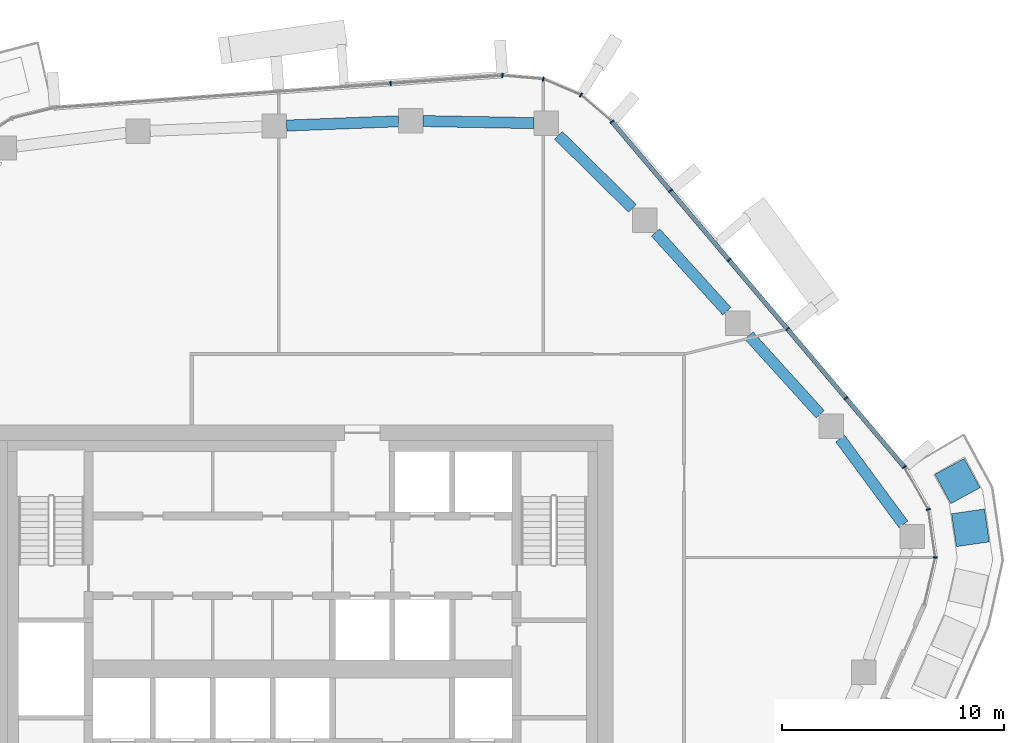
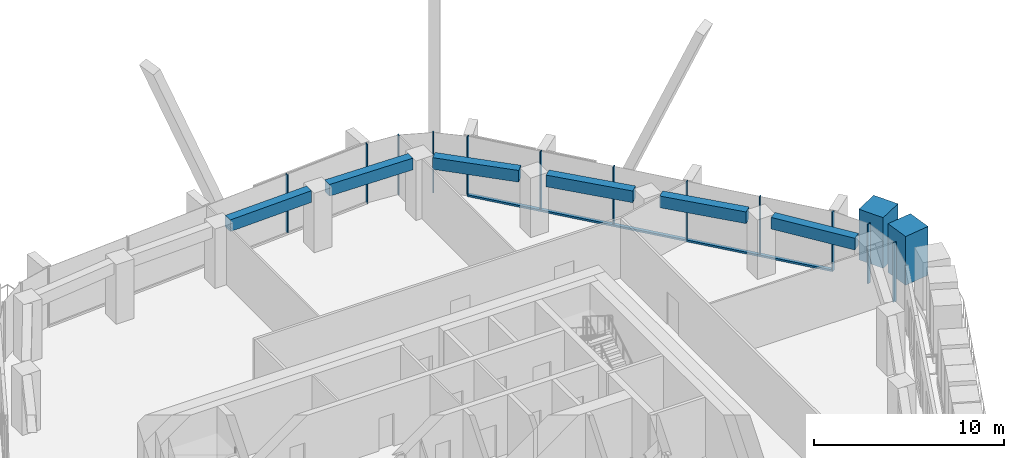
# One storey, part 8 of 20: 15 members, 6 beams, 4 elements without a shape of their own.
"""IFC4 building model written with IfcOpenShell, lengths in metres."""

from ifc_helpers import new_model, si_unit, direction, frame, origin, origin_2d, place, context, subcontext, project, spatial, rectangle, extrude, material, layer, layer_set, material_profile, profile_set, type_object, element, aggregate, save


model = new_model("IFC4")

# Units and contexts
model_context = context("Model", 3, precision=1e-05, world=origin(), true_north=direction((0.0, 1.0)))
body_context = subcontext(model_context, "Body", "Model", "MODEL_VIEW")
ifc_project = project(units=[si_unit("LENGTHUNIT", "METRE"), si_unit("AREAUNIT", "SQUARE_METRE"), si_unit("VOLUMEUNIT", "CUBIC_METRE"), si_unit("PLANEANGLEUNIT", "RADIAN"), si_unit("MASSUNIT", "GRAM", prefix="KILO")], contexts=[model_context])

# Site, building, storey
site_placement = place(None, origin())
site = spatial("IfcSite", under=ifc_project, at=site_placement, CompositionType="ELEMENT")
building_placement = place(site_placement, origin())
building = spatial("IfcBuilding", under=site, at=building_placement, Name="Dongbaek Canopy Tower", CompositionType="ELEMENT")
storey_placement = place(building_placement, frame((0.0, 0.0, 266.39990234375)))
storey = spatial("IfcBuildingStorey", under=building, at=storey_placement, Name="L56", CompositionType="ELEMENT", Elevation=266.39990234375)

# Curtain wall, members
ifc_material_1 = material(Name="Aluminium 6063-T6 pale anodised", Category="aluminium")
ifc_layer = layer(ifc_material_1, 0.199951171875)
ifc_layer_set = layer_set([ifc_layer], Name="CW-1 unitised tower curtain wall")
curtain_wall_type = type_object("IfcCurtainWallType", Name="CW-1 unitised tower curtain wall", PredefinedType="NOTDEFINED", material=ifc_layer_set)
curtain_wall_1_placement = place(storey_placement, origin())
curtain_wall_1 = element("IfcCurtainWall", 1, at=curtain_wall_1_placement, inside=storey, type_object=curtain_wall_type, Name="CW-1 curtain wall K0.1", PredefinedType="NOTDEFINED")
ifc_material_2 = material(Name="Aluminium 6063-T6 pale anodised", Category="aluminium")
ifc_material_profile_1 = material_profile(ifc_material_2, rectangle(XDim=0.199951171875, YDim=0.06005859375, at=origin_2d()), Name="CW-1 mullion 60 x 200")
ifc_profile_set_1 = profile_set([ifc_material_profile_1], Name="Aluminium 6063-T6 pale anodised")
member_type_1 = type_object("IfcMemberType", Name="CW-1 mullion 60 x 200", PredefinedType="MULLION", material=ifc_profile_set_1)
member_1_placement = place(storey_placement, frame((28.5224609375, 5.034423828125, 0.0), z_axis=(0.0, 0.0, 1.0), x_axis=(0.999092622881, -0.042590267718, 0.0)))
member_1 = element("IfcMember", 2, at=member_1_placement, type_object=member_type_1, Name="CW-1 mullion K0.1.2", PredefinedType="MULLION", context=body_context, shape_type="SweptSolid", body=[
    extrude(rectangle(XDim=0.199951171875, YDim=0.06005859375, at=origin_2d()), origin(), (0.0, 0.0, 1.0), 3.820068359375),
])
member_2_placement = place(storey_placement, frame((28.2099609375, 7.196533203125, 0.0), z_axis=(0.0, 0.0, 1.0), x_axis=(0.94607447502, 0.323949205456, 0.0)))
member_2 = element("IfcMember", 3, at=member_2_placement, type_object=member_type_1, Name="CW-1 mullion K0.1.3", PredefinedType="MULLION", context=body_context, shape_type="SweptSolid", body=[
    extrude(rectangle(XDim=0.199951171875, YDim=0.06005859375, at=origin_2d()), origin(), (0.0, 0.0, 1.0), 3.820068359375),
])
member_3_placement = place(storey_placement, frame((27.126953125, 9.1044921875, 0.0), z_axis=(0.0, 0.0, 1.0), x_axis=(0.869724340874, 0.493537811004, 0.0)))
member_3 = element("IfcMember", 4, at=member_3_placement, type_object=member_type_1, Name="CW-1 mullion K0.1.4", PredefinedType="MULLION", context=body_context, shape_type="SweptSolid", body=[
    extrude(rectangle(XDim=0.199951171875, YDim=0.06005859375, at=origin_2d()), origin(), (0.0, 0.0, 1.0), 3.820068359375),
])
aggregate(curtain_wall_1, [member_1, member_2, member_3])

curtain_wall_2_placement = place(storey_placement, origin())
curtain_wall_2 = element("IfcCurtainWall", 5, at=curtain_wall_2_placement, inside=storey, type_object=curtain_wall_type, Name="CW-1 curtain wall F0.1", PredefinedType="NOTDEFINED")
member_4_placement = place(storey_placement, frame((24.49560546875, 12.213623046875, 0.1201171875), z_axis=(0.0, 0.0, 1.0), x_axis=(0.763290756517, 0.646055122273, 0.0)))
member_4 = element("IfcMember", 6, at=member_4_placement, type_object=member_type_1, Name="CW-1 mullion F0.1.2", PredefinedType="MULLION", context=body_context, shape_type="SweptSolid", body=[
    extrude(rectangle(XDim=0.199951171875, YDim=0.06005859375, at=origin_2d()), origin(), (0.0, 0.0, 1.0), 3.699951171875),
])
member_5_placement = place(storey_placement, frame((21.85791015625, 15.329833984375, 0.1201171875), z_axis=(0.0, 0.0, 1.0), x_axis=(0.763290756517, 0.646055122273, 0.0)))
member_5 = element("IfcMember", 7, at=member_5_placement, type_object=member_type_1, Name="CW-1 mullion F0.1.3", PredefinedType="MULLION", context=body_context, shape_type="SweptSolid", body=[
    extrude(rectangle(XDim=0.199951171875, YDim=0.06005859375, at=origin_2d()), origin(), (0.0, 0.0, 1.0), 3.699951171875),
])
member_6_placement = place(storey_placement, frame((19.220458984375, 18.44580078125, 0.1201171875), z_axis=(0.0, 0.0, 1.0), x_axis=(0.763290756517, 0.646055122273, 0.0)))
member_6 = element("IfcMember", 8, at=member_6_placement, type_object=member_type_1, Name="CW-1 mullion F0.1.4", PredefinedType="MULLION", context=body_context, shape_type="SweptSolid", body=[
    extrude(rectangle(XDim=0.199951171875, YDim=0.06005859375, at=origin_2d()), origin(), (0.0, 0.0, 1.0), 3.699951171875),
])
member_7_placement = place(storey_placement, frame((16.5830078125, 21.56201171875, 0.1201171875), z_axis=(0.0, 0.0, 1.0), x_axis=(0.763290756517, 0.646055122273, 0.0)))
member_7 = element("IfcMember", 9, at=member_7_placement, type_object=member_type_1, Name="CW-1 mullion F0.1.5", PredefinedType="MULLION", context=body_context, shape_type="SweptSolid", body=[
    extrude(rectangle(XDim=0.199951171875, YDim=0.06005859375, at=origin_2d()), origin(), (0.0, 0.0, 1.0), 3.699951171875),
])
member_8_placement = place(storey_placement, frame((13.950439453125, 24.672119140625, 0.1201171875), z_axis=(0.0, 0.0, 1.0), x_axis=(0.763290756517, 0.646055122273, 0.0)))
member_8 = element("IfcMember", 10, at=member_8_placement, type_object=member_type_1, Name="CW-1 mullion F0.1.6", PredefinedType="MULLION", context=body_context, shape_type="SweptSolid", body=[
    extrude(rectangle(XDim=0.199951171875, YDim=0.06005859375, at=origin_2d()), origin(), (0.0, 0.0, 1.0), 3.699951171875),
])

curtain_wall_3_placement = place(storey_placement, origin())
curtain_wall_3 = element("IfcCurtainWall", 11, at=curtain_wall_3_placement, inside=storey, type_object=curtain_wall_type, Name="CW-1 curtain wall K1.1", PredefinedType="NOTDEFINED")
member_9_placement = place(storey_placement, frame((12.55029296875, 25.8798828125, 0.0), z_axis=(0.0, 0.0, 1.0), x_axis=(0.526936859296, 0.849904433636, 0.0)))
member_9 = element("IfcMember", 12, at=member_9_placement, type_object=member_type_1, Name="CW-1 mullion K1.1.2", PredefinedType="MULLION", context=body_context, shape_type="SweptSolid", body=[
    extrude(rectangle(XDim=0.199951171875, YDim=0.06005859375, at=origin_2d()), origin(), (0.0, 0.0, 1.0), 3.820068359375),
])
member_10_placement = place(storey_placement, frame((10.853271484375, 26.593994140625, 0.0), z_axis=(0.0, 0.0, 1.0), x_axis=(0.239249981769, 0.970958004356, 0.0)))
member_10 = element("IfcMember", 13, at=member_10_placement, type_object=member_type_1, Name="CW-1 mullion K1.1.3", PredefinedType="MULLION", context=body_context, shape_type="SweptSolid", body=[
    extrude(rectangle(XDim=0.199951171875, YDim=0.06005859375, at=origin_2d()), origin(), (0.0, 0.0, 1.0), 3.820068359375),
])
member_11_placement = place(storey_placement, frame((9.010986328125, 26.750732421875, 0.0), z_axis=(0.0, 0.0, 1.0), x_axis=(0.084791843518, 0.996398686908, 0.0)))
member_11 = element("IfcMember", 14, at=member_11_placement, type_object=member_type_1, Name="CW-1 mullion K1.1.4", PredefinedType="MULLION", context=body_context, shape_type="SweptSolid", body=[
    extrude(rectangle(XDim=0.199951171875, YDim=0.06005859375, at=origin_2d()), origin(), (0.0, 0.0, 1.0), 3.820068359375),
])
aggregate(curtain_wall_3, [member_9, member_10, member_11])

# Curtain wall, member
curtain_wall_4_placement = place(storey_placement, origin())
curtain_wall_4 = element("IfcCurtainWall", 15, at=curtain_wall_4_placement, inside=storey, type_object=curtain_wall_type, Name="CW-1 curtain wall F1.1", PredefinedType="NOTDEFINED")
member_12_placement = place(storey_placement, frame((3.971435546875, 26.38818359375, 0.1201171875), z_axis=(0.0, 0.0, 1.0), x_axis=(-0.07174408026, 0.997423073198, 0.0)))
member_12 = element("IfcMember", 16, at=member_12_placement, type_object=member_type_1, Name="CW-1 mullion F1.1.2", PredefinedType="MULLION", context=body_context, shape_type="SweptSolid", body=[
    extrude(rectangle(XDim=0.199951171875, YDim=0.06005859375, at=origin_2d()), origin(), (0.0, 0.0, 1.0), 3.699951171875),
])
aggregate(curtain_wall_4, [member_12])

# Member
ifc_material_3 = material(Name="Aluminium 6063-T6 pale anodised", Category="aluminium")
ifc_material_profile_2 = material_profile(ifc_material_3, rectangle(XDim=0.199951171875, YDim=0.1201171875, at=origin_2d()), Name="CW-1 transom 120 x 200")
ifc_profile_set_2 = profile_set([ifc_material_profile_2], Name="Aluminium 6063-T6 pale anodised")
member_type_2 = type_object("IfcMemberType", Name="CW-1 transom 120 x 200", PredefinedType="USERDEFINED", material=ifc_profile_set_2)
member_13_placement = place(storey_placement, frame((27.126953125, 9.1044921875, 0.06005859375), z_axis=(-0.646053848117, 0.763291834971, 0.0), x_axis=(-0.763291834971, -0.646053848117, 0.0)))
member_13 = element("IfcMember", 17, at=member_13_placement, type_object=member_type_2, Name="CW-1 transom F0.1.1", ObjectType="TRANSOM", PredefinedType="USERDEFINED", context=body_context, shape_type="SweptSolid", body=[
    extrude(rectangle(XDim=0.199951171875, YDim=0.1201171875, at=origin_2d()), origin(), (0.0, 0.0, 1.0), 20.395263671875),
])

aggregate(curtain_wall_2, [member_4, member_5, member_6, member_7, member_8, member_13])

# Beams
ifc_material_4 = material(Name="Concrete C70", Category="concrete")
ifc_material_profile_3 = material_profile(ifc_material_4, rectangle(XDim=0.5, YDim=0.75, at=origin_2d()), Name="RC EDGE BEAM 500x750 C70")
ifc_profile_set_3 = profile_set([ifc_material_profile_3], Name="Concrete C70")
beam_type = type_object("IfcBeamType", Name="RC EDGE BEAM 500x750 C70", PredefinedType="BEAM", material=ifc_profile_set_3)
beam_1_placement = place(storey_placement, frame((-0.716064453125, 24.5, 3.445068359375), z_axis=(0.999269359521, 0.038219721647, 0.0), x_axis=(-0.038219721647, 0.999269359521, 0.0)))
element("IfcBeam", 18, at=beam_1_placement, inside=storey, type_object=beam_type, Name="EDGEBEAM:L56:15", PredefinedType="BEAM", context=body_context, shape_type="SweptSolid", body=[
    extrude(rectangle(XDim=0.5, YDim=0.75, at=origin_2d()), origin(), (0.0, 0.0, 1.0), 5.052734375),
])
beam_2_placement = place(storey_placement, frame((5.43310546875, 24.70361328125, 3.445068359375), z_axis=(0.999822914654, -0.018818590065, 0.0), x_axis=(0.018818590065, 0.999822914654, 0.0)))
element("IfcBeam", 19, at=beam_2_placement, inside=storey, type_object=beam_type, Name="EDGEBEAM:L56:16", PredefinedType="BEAM", context=body_context, shape_type="SweptSolid", body=[
    extrude(rectangle(XDim=0.5, YDim=0.75, at=origin_2d()), origin(), (0.0, 0.0, 1.0), 5.0078125),
])
beam_3_placement = place(storey_placement, frame((11.5400390625, 24.05615234375, 3.445068359375), z_axis=(0.711738619198, -0.70244440203, 0.0), x_axis=(0.70244440203, 0.711738619198, 0.0)))
element("IfcBeam", 20, at=beam_3_placement, inside=storey, type_object=beam_type, Name="EDGEBEAM:L56:17", PredefinedType="BEAM", context=body_context, shape_type="SweptSolid", body=[
    extrude(rectangle(XDim=0.5, YDim=0.75, at=origin_2d()), origin(), (0.0, 0.0, 1.0), 4.67578125),
])
beam_4_placement = place(storey_placement, frame((15.916015625, 19.678955078125, 3.445068359375), z_axis=(0.671330225436, -0.741158369322, 0.0), x_axis=(0.741158369322, 0.671330225436, 0.0)))
element("IfcBeam", 21, at=beam_4_placement, inside=storey, type_object=beam_type, Name="EDGEBEAM:L56:18", PredefinedType="BEAM", context=body_context, shape_type="SweptSolid", body=[
    extrude(rectangle(XDim=0.5, YDim=0.75, at=origin_2d()), origin(), (0.0, 0.0, 1.0), 4.782958984375),
])
beam_5_placement = place(storey_placement, frame((20.123046875, 15.033935546875, 3.445068359375), z_axis=(0.671218045362, -0.741259964911, 0.0), x_axis=(0.741259964911, 0.671218045362, 0.0)))
element("IfcBeam", 22, at=beam_5_placement, inside=storey, type_object=beam_type, Name="EDGEBEAM:L56:19", PredefinedType="BEAM", context=body_context, shape_type="SweptSolid", body=[
    extrude(rectangle(XDim=0.5, YDim=0.75, at=origin_2d()), origin(), (0.0, 0.0, 1.0), 4.7822265625),
])
beam_6_placement = place(storey_placement, frame((24.23681640625, 10.388916015625, 3.445068359375), z_axis=(0.593714292615, -0.804675921564, 0.0), x_axis=(0.804675921564, 0.593714292615, 0.0)))
element("IfcBeam", 23, at=beam_6_placement, inside=storey, type_object=beam_type, Name="EDGEBEAM:L56:20", PredefinedType="BEAM", context=body_context, shape_type="SweptSolid", body=[
    extrude(rectangle(XDim=0.5, YDim=0.75, at=origin_2d()), origin(), (0.0, 0.0, 1.0), 4.79931640625),
])

# Members
ifc_material_5 = material(Name="Concrete C40/50 planter mass with planting", Category="concrete")
ifc_material_profile_4 = material_profile(ifc_material_5, rectangle(XDim=1.5, YDim=1.5, at=origin_2d()), Name="Terrace PLANTER shrub mass 1500 x 1500")
ifc_profile_set_4 = profile_set([ifc_material_profile_4], Name="Concrete C40/50 planter mass with planting")
member_type_3 = type_object("IfcMemberType", Name="Terrace PLANTER shrub mass 1500 x 1500", PredefinedType="USERDEFINED", material=ifc_profile_set_4)
member_14_placement = place(storey_placement, frame((30.10888671875, 6.367431640625, 0.420166015625), z_axis=(0.0, 0.0, 1.0), x_axis=(0.989700235444, 0.143155314124, 0.0)))
element("IfcMember", 24, at=member_14_placement, inside=storey, type_object=member_type_3, Name="Planter shrubs L56 4.4", ObjectType="PLANTER", PredefinedType="USERDEFINED", context=body_context, shape_type="SweptSolid", body=[
    extrude(rectangle(XDim=1.5, YDim=1.5, at=origin_2d()), origin(), (0.0, 0.0, 1.0), 3.1298828125),
])
member_15_placement = place(storey_placement, frame((29.526611328125, 8.473388671875, 0.420166015625), z_axis=(0.0, 0.0, 1.0), x_axis=(0.878675648079, 0.477419213556, 0.0)))
element("IfcMember", 25, at=member_15_placement, inside=storey, type_object=member_type_3, Name="Planter shrubs L56 4.5", ObjectType="PLANTER", PredefinedType="USERDEFINED", context=body_context, shape_type="SweptSolid", body=[
    extrude(rectangle(XDim=1.5, YDim=1.5, at=origin_2d()), origin(), (0.0, 0.0, 1.0), 3.25),
])

save(model, "model.ifc")
